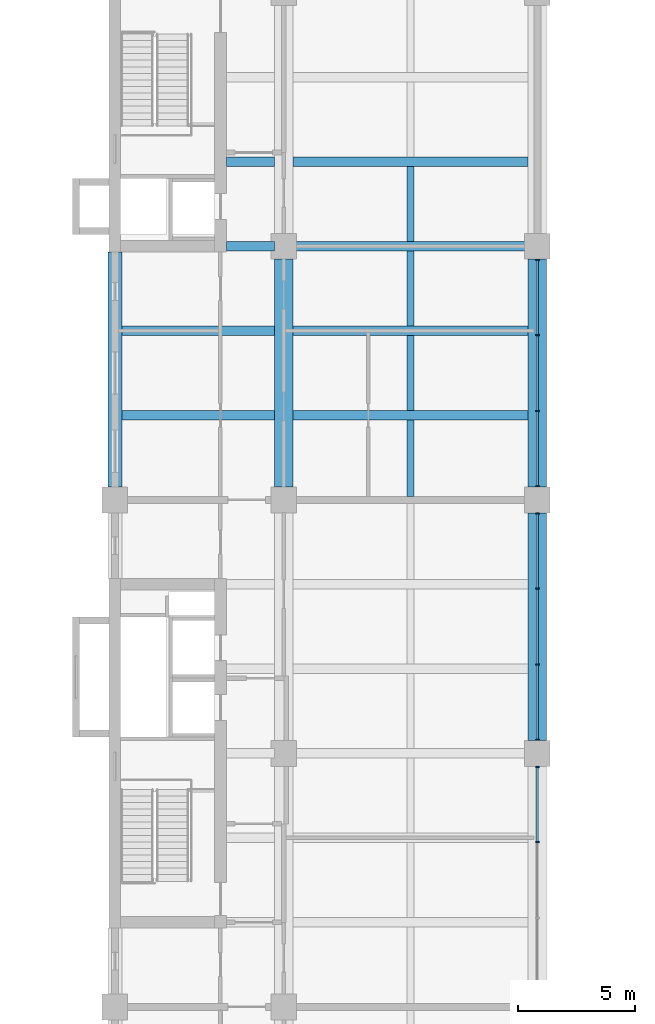
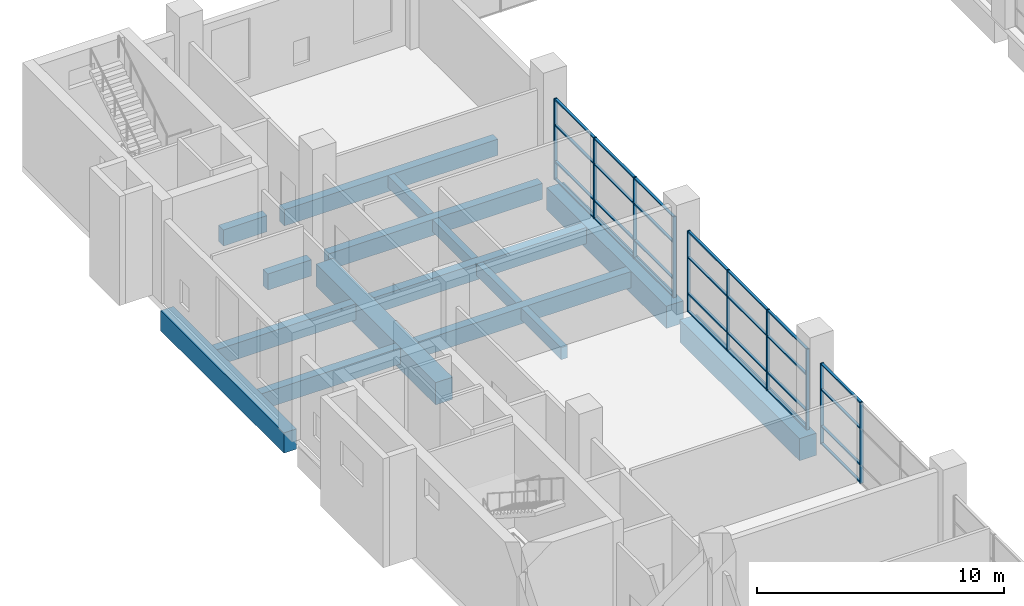
# One storey, part 5 of 32: 38 members, 16 beams, 3 elements without a shape of their own.
"""IFC4 building model written with IfcOpenShell, lengths in metres."""

from ifc_helpers import new_model, si_unit, direction, frame, origin, origin_2d, place, context, subcontext, project, spatial, rectangle, extrude, material, layer, layer_set, material_profile, profile_set, type_object, element, aggregate, save


model = new_model("IFC4")

# Units and contexts
model_context = context("Model", 3, precision=1e-05, world=origin(), true_north=direction((0.0, 1.0)))
body_context = subcontext(model_context, "Body", "Model", "MODEL_VIEW")
ifc_project = project(units=[si_unit("LENGTHUNIT", "METRE"), si_unit("AREAUNIT", "SQUARE_METRE"), si_unit("VOLUMEUNIT", "CUBIC_METRE"), si_unit("PLANEANGLEUNIT", "RADIAN"), si_unit("MASSUNIT", "GRAM", prefix="KILO")], contexts=[model_context])

# Site, building, storey
site_placement = place(None, origin())
site = spatial("IfcSite", under=ifc_project, at=site_placement, CompositionType="ELEMENT")
building_placement = place(site_placement, origin())
building = spatial("IfcBuilding", under=site, at=building_placement, Name="Basin Gate Institute", CompositionType="ELEMENT")
storey_placement = place(building_placement, frame((0.0, 0.0, 11.39990234375)))
storey = spatial("IfcBuildingStorey", under=building, at=storey_placement, Name="L02", CompositionType="ELEMENT", Elevation=11.39990234375)

# Beams
ifc_material_1 = material(Name="Concrete 40 MPa", Category="concrete")
ifc_material_profile_1 = material_profile(ifc_material_1, rectangle(XDim=0.39990234375, YDim=0.800048828125, at=origin_2d()), Name="Beam B2 400 x 800")
ifc_profile_set_1 = profile_set([ifc_material_profile_1], Name="Concrete 40 MPa")
beam_type_1 = type_object("IfcBeamType", Name="Beam B2 R180", PredefinedType="BEAM", material=ifc_profile_set_1)
beam_1_placement = place(storey_placement, frame((68.800048828125, 81.89990234375, -0.699951171875), z_axis=(1.0, 0.0, 0.0), x_axis=(0.0, 1.0, 0.0)))
element("IfcBeam", 1, at=beam_1_placement, inside=storey, type_object=beam_type_1, material=ifc_profile_set_1, Name="BEAM/L02/W/EW/14", PredefinedType="BEAM", context=body_context, shape_type="SweptSolid", body=[
    extrude(rectangle(XDim=0.39990234375, YDim=0.800048828125, at=origin_2d()), origin(), (0.0, 0.0, 1.0), 10.0),
])
beam_2_placement = place(storey_placement, frame((61.5, 81.89990234375, -0.699951171875), z_axis=(1.0, 0.0, 0.0), x_axis=(0.0, 1.0, 0.0)))
element("IfcBeam", 2, at=beam_2_placement, inside=storey, type_object=beam_type_1, material=ifc_profile_set_1, Name="BEAM/L02/W/OUT/14", PredefinedType="BEAM", context=body_context, shape_type="SweptSolid", body=[
    extrude(rectangle(XDim=0.39990234375, YDim=0.800048828125, at=origin_2d()), origin(), (0.0, 0.0, 1.0), 6.5),
])
beam_3_placement = place(storey_placement, frame((68.800048828125, 85.5, -0.699951171875), z_axis=(1.0, 0.0, 0.0), x_axis=(0.0, 1.0, 0.0)))
element("IfcBeam", 3, at=beam_3_placement, inside=storey, type_object=beam_type_1, material=ifc_profile_set_1, Name="BEAM/L02/W/EW/15", PredefinedType="BEAM", context=body_context, shape_type="SweptSolid", body=[
    extrude(rectangle(XDim=0.39990234375, YDim=0.800048828125, at=origin_2d()), origin(), (0.0, 0.0, 1.0), 10.0),
])
beam_4_placement = place(storey_placement, frame((61.5, 85.5, -0.699951171875), z_axis=(1.0, 0.0, 0.0), x_axis=(0.0, 1.0, 0.0)))
element("IfcBeam", 4, at=beam_4_placement, inside=storey, type_object=beam_type_1, material=ifc_profile_set_1, Name="BEAM/L02/W/OUT/15", PredefinedType="BEAM", context=body_context, shape_type="SweptSolid", body=[
    extrude(rectangle(XDim=0.39990234375, YDim=0.800048828125, at=origin_2d()), origin(), (0.0, 0.0, 1.0), 6.5),
])
beam_5_placement = place(storey_placement, frame((68.800048828125, 89.10009765625, -0.699951171875), z_axis=(1.0, 0.0, 0.0), x_axis=(0.0, 1.0, 0.0)))
element("IfcBeam", 5, at=beam_5_placement, inside=storey, type_object=beam_type_1, material=ifc_profile_set_1, Name="BEAM/L02/W/EW/16", PredefinedType="BEAM", context=body_context, shape_type="SweptSolid", body=[
    extrude(rectangle(XDim=0.39990234375, YDim=0.800048828125, at=origin_2d()), origin(), (0.0, 0.0, 1.0), 10.0),
])
beam_6_placement = place(storey_placement, frame((65.949951171875, 89.10009765625, -0.699951171875), z_axis=(1.0, 0.0, 0.0), x_axis=(0.0, 1.0, 0.0)))
element("IfcBeam", 6, at=beam_6_placement, inside=storey, type_object=beam_type_1, material=ifc_profile_set_1, Name="BEAM/L02/W/CORR/16", PredefinedType="BEAM", context=body_context, shape_type="SweptSolid", body=[
    extrude(rectangle(XDim=0.39990234375, YDim=0.800048828125, at=origin_2d()), origin(), (0.0, 0.0, 1.0), 2.050048828125),
])
beam_7_placement = place(storey_placement, frame((68.800048828125, 92.699951171875, -0.699951171875), z_axis=(1.0, 0.0, 0.0), x_axis=(0.0, 1.0, 0.0)))
element("IfcBeam", 7, at=beam_7_placement, inside=storey, type_object=beam_type_1, material=ifc_profile_set_1, Name="BEAM/L02/W/EW/17", PredefinedType="BEAM", context=body_context, shape_type="SweptSolid", body=[
    extrude(rectangle(XDim=0.39990234375, YDim=0.800048828125, at=origin_2d()), origin(), (0.0, 0.0, 1.0), 10.0),
])
beam_8_placement = place(storey_placement, frame((65.949951171875, 92.699951171875, -0.699951171875), z_axis=(1.0, 0.0, 0.0), x_axis=(0.0, 1.0, 0.0)))
element("IfcBeam", 8, at=beam_8_placement, inside=storey, type_object=beam_type_1, material=ifc_profile_set_1, Name="BEAM/L02/W/CORR/17", PredefinedType="BEAM", context=body_context, shape_type="SweptSolid", body=[
    extrude(rectangle(XDim=0.39990234375, YDim=0.800048828125, at=origin_2d()), origin(), (0.0, 0.0, 1.0), 2.050048828125),
])
ifc_material_2 = material(Name="Concrete 50 MPa", Category="concrete")
ifc_material_profile_2 = material_profile(ifc_material_2, rectangle(XDim=0.60009765625, YDim=1.0, at=origin_2d()), Name="Edge beam EB2 600 x 1000")
ifc_profile_set_2 = profile_set([ifc_material_profile_2], Name="Concrete 50 MPa")
beam_type_2 = type_object("IfcBeamType", Name="Edge beam EB2 R180", PredefinedType="SPANDREL", material=ifc_profile_set_2)
beam_9_placement = place(storey_placement, frame((61.199951171875, 78.85009765625, -0.7998046875), z_axis=(0.0, 1.0, 0.0), x_axis=(-1.0, 0.0, 0.0)))
element("IfcBeam", 9, at=beam_9_placement, inside=storey, type_object=beam_type_2, material=ifc_profile_set_2, Name="BEAM/L02/W/EDGE/4", PredefinedType="SPANDREL", context=body_context, shape_type="SweptSolid", body=[
    extrude(rectangle(XDim=0.60009765625, YDim=1.0, at=origin_2d()), origin(), (0.0, 0.0, 1.0), 10.0),
])
ifc_material_3 = material(Name="Concrete 50 MPa", Category="concrete")
ifc_material_profile_3 = material_profile(ifc_material_3, rectangle(XDim=0.800048828125, YDim=1.10009765625, at=origin_2d()), Name="Girder G2 800 x 1100")
ifc_profile_set_3 = profile_set([ifc_material_profile_3], Name="Concrete 50 MPa")
beam_type_3 = type_object("IfcBeamType", Name="Girder G2 R180", PredefinedType="BEAM", material=ifc_profile_set_3)
for number, where, z_axis, x_axis, name in (
    (10, (68.39990234375, 78.85009765625, -0.849853515625), (0.0, 1.0, 0.0), (-1.0, 0.0, 0.0), "GIR/L02/W5/5"),
    (11, (79.199951171875, 68.050048828125, -0.849853515625), (0.0, 1.0, 0.0), (-1.0, 0.0, 0.0), "GIR/L02/W6/4"),
    (12, (79.199951171875, 78.85009765625, -0.849853515625), (0.0, 1.0, 0.0), (-1.0, 0.0, 0.0), "GIR/L02/W6/5"),
):
    element("IfcBeam", number, at=place(storey_placement, frame(where, z_axis=z_axis, x_axis=x_axis)), inside=storey, type_object=beam_type_3, material=ifc_profile_set_3, Name=name, PredefinedType="BEAM", context=body_context, shape_type="SweptSolid", body=[
        extrude(rectangle(XDim=0.800048828125, YDim=1.10009765625, at=origin_2d()), origin(), (0.0, 0.0, 1.0), 9.699951171875),
    ])

# Curtain wall, members
ifc_material_4 = material(Name="Fire-resistant glazing in steel-free frame", Category="steel")
ifc_layer = layer(ifc_material_4, 0.199951171875)
ifc_layer_set = layer_set([ifc_layer], Name="Fire-resistant glazing in steel-free frame")
curtain_wall_type = type_object("IfcCurtainWallType", Name="Atrium rated curtain wall CW3", PredefinedType="NOTDEFINED", material=ifc_layer_set)
curtain_wall_1_placement = place(storey_placement, origin())
curtain_wall_1 = element("IfcCurtainWall", 13, at=curtain_wall_1_placement, inside=storey, type_object=curtain_wall_type, material=ifc_layer_set, Name="Atrium rated curtain wall W wing atrium bay 3 L02", PredefinedType="NOTDEFINED")
ifc_material_5 = material(Name="Aluminium", Category="aluminium")
ifc_material_profile_4 = material_profile(ifc_material_5, rectangle(XDim=0.14990234375, YDim=0.06005859375, at=origin_2d()), Name="Mullion MU3 150 x 60")
ifc_profile_set_4 = profile_set([ifc_material_profile_4], Name="Aluminium")
member_type_1 = type_object("IfcMemberType", Name="Mullion MU3", PredefinedType="MULLION", material=ifc_profile_set_4)
member_1_placement = place(storey_placement, frame((79.199951171875, 63.716552734375, 0.0), z_axis=(0.0, 0.0, 1.0), x_axis=(-1.0, 0.0, 0.0)))
member_1 = element("IfcMember", 14, at=member_1_placement, type_object=member_type_1, material=ifc_profile_set_4, Name="CW3 mullion 3", PredefinedType="MULLION", context=body_context, shape_type="SweptSolid", body=[
    extrude(rectangle(XDim=0.14990234375, YDim=0.06005859375, at=origin_2d()), origin(), (0.0, 0.0, 1.0), 4.0),
])
member_2_placement = place(storey_placement, frame((79.199951171875, 66.919921875, 0.0), z_axis=(0.0, 0.0, 1.0), x_axis=(-1.0, 0.0, 0.0)))
member_2 = element("IfcMember", 15, at=member_2_placement, type_object=member_type_1, material=ifc_profile_set_4, Name="CW3 mullion 4", PredefinedType="MULLION", context=body_context, shape_type="SweptSolid", body=[
    extrude(rectangle(XDim=0.14990234375, YDim=0.06005859375, at=origin_2d()), origin(), (0.0, 0.0, 1.0), 4.0),
])

curtain_wall_2_placement = place(storey_placement, origin())
curtain_wall_2 = element("IfcCurtainWall", 16, at=curtain_wall_2_placement, inside=storey, type_object=curtain_wall_type, material=ifc_layer_set, Name="Atrium rated curtain wall W wing atrium bay 4 L02", PredefinedType="NOTDEFINED")
member_3_placement = place(storey_placement, frame((79.199951171875, 68.080078125, 0.0), z_axis=(0.0, 0.0, 1.0), x_axis=(-1.0, 0.0, 0.0)))
member_3 = element("IfcMember", 17, at=member_3_placement, type_object=member_type_1, material=ifc_profile_set_4, Name="CW3 mullion 1", PredefinedType="MULLION", context=body_context, shape_type="SweptSolid", body=[
    extrude(rectangle(XDim=0.14990234375, YDim=0.06005859375, at=origin_2d()), origin(), (0.0, 0.0, 1.0), 4.0),
])
member_4_placement = place(storey_placement, frame((79.199951171875, 71.283447265625, 0.0), z_axis=(0.0, 0.0, 1.0), x_axis=(-1.0, 0.0, 0.0)))
member_4 = element("IfcMember", 18, at=member_4_placement, type_object=member_type_1, material=ifc_profile_set_4, Name="CW3 mullion 2", PredefinedType="MULLION", context=body_context, shape_type="SweptSolid", body=[
    extrude(rectangle(XDim=0.14990234375, YDim=0.06005859375, at=origin_2d()), origin(), (0.0, 0.0, 1.0), 4.0),
])
member_5_placement = place(storey_placement, frame((79.199951171875, 74.5166015625, 0.0), z_axis=(0.0, 0.0, 1.0), x_axis=(-1.0, 0.0, 0.0)))
member_5 = element("IfcMember", 19, at=member_5_placement, type_object=member_type_1, material=ifc_profile_set_4, Name="CW3 mullion 3", PredefinedType="MULLION", context=body_context, shape_type="SweptSolid", body=[
    extrude(rectangle(XDim=0.14990234375, YDim=0.06005859375, at=origin_2d()), origin(), (0.0, 0.0, 1.0), 4.0),
])
member_6_placement = place(storey_placement, frame((79.199951171875, 77.719970703125, 0.0), z_axis=(0.0, 0.0, 1.0), x_axis=(-1.0, 0.0, 0.0)))
member_6 = element("IfcMember", 20, at=member_6_placement, type_object=member_type_1, material=ifc_profile_set_4, Name="CW3 mullion 4", PredefinedType="MULLION", context=body_context, shape_type="SweptSolid", body=[
    extrude(rectangle(XDim=0.14990234375, YDim=0.06005859375, at=origin_2d()), origin(), (0.0, 0.0, 1.0), 4.0),
])

curtain_wall_3_placement = place(storey_placement, origin())
curtain_wall_3 = element("IfcCurtainWall", 21, at=curtain_wall_3_placement, inside=storey, type_object=curtain_wall_type, material=ifc_layer_set, Name="Atrium rated curtain wall W wing atrium bay 5 L02", PredefinedType="NOTDEFINED")
member_7_placement = place(storey_placement, frame((79.199951171875, 78.8798828125, 0.0), z_axis=(0.0, 0.0, 1.0), x_axis=(-1.0, 0.0, 0.0)))
member_7 = element("IfcMember", 22, at=member_7_placement, type_object=member_type_1, material=ifc_profile_set_4, Name="CW3 mullion 1", PredefinedType="MULLION", context=body_context, shape_type="SweptSolid", body=[
    extrude(rectangle(XDim=0.14990234375, YDim=0.06005859375, at=origin_2d()), origin(), (0.0, 0.0, 1.0), 4.0),
])
member_8_placement = place(storey_placement, frame((79.199951171875, 82.083251953125, 0.0), z_axis=(0.0, 0.0, 1.0), x_axis=(-1.0, 0.0, 0.0)))
member_8 = element("IfcMember", 23, at=member_8_placement, type_object=member_type_1, material=ifc_profile_set_4, Name="CW3 mullion 2", PredefinedType="MULLION", context=body_context, shape_type="SweptSolid", body=[
    extrude(rectangle(XDim=0.14990234375, YDim=0.06005859375, at=origin_2d()), origin(), (0.0, 0.0, 1.0), 4.0),
])
member_9_placement = place(storey_placement, frame((79.199951171875, 85.316650390625, 0.0), z_axis=(0.0, 0.0, 1.0), x_axis=(-1.0, 0.0, 0.0)))
member_9 = element("IfcMember", 24, at=member_9_placement, type_object=member_type_1, material=ifc_profile_set_4, Name="CW3 mullion 3", PredefinedType="MULLION", context=body_context, shape_type="SweptSolid", body=[
    extrude(rectangle(XDim=0.14990234375, YDim=0.06005859375, at=origin_2d()), origin(), (0.0, 0.0, 1.0), 4.0),
])
member_10_placement = place(storey_placement, frame((79.199951171875, 88.52001953125, 0.0), z_axis=(0.0, 0.0, 1.0), x_axis=(-1.0, 0.0, 0.0)))
member_10 = element("IfcMember", 25, at=member_10_placement, type_object=member_type_1, material=ifc_profile_set_4, Name="CW3 mullion 4", PredefinedType="MULLION", context=body_context, shape_type="SweptSolid", body=[
    extrude(rectangle(XDim=0.14990234375, YDim=0.06005859375, at=origin_2d()), origin(), (0.0, 0.0, 1.0), 4.0),
])

# Beams
ifc_material_6 = material(Name="Concrete 40 MPa", Category="concrete")
ifc_material_profile_5 = material_profile(ifc_material_6, rectangle(XDim=0.300048828125, YDim=0.60009765625, at=origin_2d()), Name="Rib R2 300 x 600")
ifc_profile_set_5 = profile_set([ifc_material_profile_5], Name="Concrete 40 MPa")
beam_type_4 = type_object("IfcBeamType", Name="Rib R2 R180", PredefinedType="JOIST", material=ifc_profile_set_5)
beam_10_placement = place(storey_placement, frame((73.800048828125, 78.449951171875, -0.599853515625), z_axis=(0.0, 1.0, 0.0), x_axis=(-1.0, 0.0, 0.0)))
element("IfcBeam", 26, at=beam_10_placement, inside=storey, type_object=beam_type_4, material=ifc_profile_set_5, Name="BEAM/L02/W/RIB/13", PredefinedType="JOIST", context=body_context, shape_type="SweptSolid", body=[
    extrude(rectangle(XDim=0.300048828125, YDim=0.60009765625, at=origin_2d()), origin(), (0.0, 0.0, 1.0), 3.25),
])
for number, where, z_axis, x_axis, name in (
    (27, (73.800048828125, 82.10009765625, -0.599853515625), (0.0, 1.0, 0.0), (-1.0, 0.0, 0.0), "BEAM/L02/W/RIB/14"),
    (28, (73.800048828125, 85.699951171875, -0.599853515625), (0.0, 1.0, 0.0), (-1.0, 0.0, 0.0), "BEAM/L02/W/RIB/15"),
    (29, (73.800048828125, 89.300048828125, -0.599853515625), (0.0, 1.0, 0.0), (-1.0, 0.0, 0.0), "BEAM/L02/W/RIB/16"),
):
    element("IfcBeam", number, at=place(storey_placement, frame(where, z_axis=z_axis, x_axis=x_axis)), inside=storey, type_object=beam_type_4, material=ifc_profile_set_5, Name=name, PredefinedType="JOIST", context=body_context, shape_type="SweptSolid", body=[
        extrude(rectangle(XDim=0.300048828125, YDim=0.60009765625, at=origin_2d()), origin(), (0.0, 0.0, 1.0), 3.199951171875),
    ])

# Member
ifc_material_7 = material(Name="Aluminium", Category="aluminium")
ifc_material_profile_6 = material_profile(ifc_material_7, rectangle(XDim=0.1201171875, YDim=0.06005859375, at=origin_2d()), Name="Transom TR3 120 x 60")
ifc_profile_set_6 = profile_set([ifc_material_profile_6], Name="Aluminium")
member_type_2 = type_object("IfcMemberType", Name="Transom TR3", PredefinedType="USERDEFINED", material=ifc_profile_set_6)
member_11_placement = place(storey_placement, frame((79.199951171875, 63.74658203125, 0.030029296875), z_axis=(0.0, 1.0, 0.0), x_axis=(-1.0, 0.0, 0.0)))
member_11 = element("IfcMember", 30, at=member_11_placement, type_object=member_type_2, material=ifc_profile_set_6, Name="CW3 transom 3.1", ObjectType="TRANSOM", PredefinedType="USERDEFINED", context=body_context, shape_type="SweptSolid", body=[
    extrude(rectangle(XDim=0.1201171875, YDim=0.06005859375, at=origin_2d()), origin(), (0.0, 0.0, 1.0), 3.143310546875),
])

member_12_placement = place(storey_placement, frame((79.199951171875, 63.74658203125, 0.900146484375), z_axis=(0.0, 1.0, 0.0), x_axis=(-1.0, 0.0, 0.0)))
member_12 = element("IfcMember", 31, at=member_12_placement, type_object=member_type_2, material=ifc_profile_set_6, Name="CW3 transom 3.2", ObjectType="TRANSOM", PredefinedType="USERDEFINED", context=body_context, shape_type="SweptSolid", body=[
    extrude(rectangle(XDim=0.1201171875, YDim=0.06005859375, at=origin_2d()), origin(), (0.0, 0.0, 1.0), 3.143310546875),
])

member_13_placement = place(storey_placement, frame((79.199951171875, 63.74658203125, 2.7001953125), z_axis=(0.0, 1.0, 0.0), x_axis=(-1.0, 0.0, 0.0)))
member_13 = element("IfcMember", 32, at=member_13_placement, type_object=member_type_2, material=ifc_profile_set_6, Name="CW3 transom 3.3", ObjectType="TRANSOM", PredefinedType="USERDEFINED", context=body_context, shape_type="SweptSolid", body=[
    extrude(rectangle(XDim=0.1201171875, YDim=0.06005859375, at=origin_2d()), origin(), (0.0, 0.0, 1.0), 3.143310546875),
])

member_14_placement = place(storey_placement, frame((79.199951171875, 63.74658203125, 3.97021484375), z_axis=(0.0, 1.0, 0.0), x_axis=(-1.0, 0.0, 0.0)))
member_14 = element("IfcMember", 33, at=member_14_placement, type_object=member_type_2, material=ifc_profile_set_6, Name="CW3 transom 3.4", ObjectType="TRANSOM", PredefinedType="USERDEFINED", context=body_context, shape_type="SweptSolid", body=[
    extrude(rectangle(XDim=0.1201171875, YDim=0.06005859375, at=origin_2d()), origin(), (0.0, 0.0, 1.0), 3.143310546875),
])

aggregate(curtain_wall_1, [member_1, member_2, member_11, member_12, member_13, member_14])

member_15_placement = place(storey_placement, frame((79.199951171875, 68.110107421875, 0.030029296875), z_axis=(0.0, 1.0, 0.0), x_axis=(-1.0, 0.0, 0.0)))
member_15 = element("IfcMember", 34, at=member_15_placement, type_object=member_type_2, material=ifc_profile_set_6, Name="CW3 transom 1.1", ObjectType="TRANSOM", PredefinedType="USERDEFINED", context=body_context, shape_type="SweptSolid", body=[
    extrude(rectangle(XDim=0.1201171875, YDim=0.06005859375, at=origin_2d()), origin(), (0.0, 0.0, 1.0), 3.143310546875),
])

member_16_placement = place(storey_placement, frame((79.199951171875, 68.110107421875, 0.900146484375), z_axis=(0.0, 1.0, 0.0), x_axis=(-1.0, 0.0, 0.0)))
member_16 = element("IfcMember", 35, at=member_16_placement, type_object=member_type_2, material=ifc_profile_set_6, Name="CW3 transom 1.2", ObjectType="TRANSOM", PredefinedType="USERDEFINED", context=body_context, shape_type="SweptSolid", body=[
    extrude(rectangle(XDim=0.1201171875, YDim=0.06005859375, at=origin_2d()), origin(), (0.0, 0.0, 1.0), 3.143310546875),
])

member_17_placement = place(storey_placement, frame((79.199951171875, 68.110107421875, 2.7001953125), z_axis=(0.0, 1.0, 0.0), x_axis=(-1.0, 0.0, 0.0)))
member_17 = element("IfcMember", 36, at=member_17_placement, type_object=member_type_2, material=ifc_profile_set_6, Name="CW3 transom 1.3", ObjectType="TRANSOM", PredefinedType="USERDEFINED", context=body_context, shape_type="SweptSolid", body=[
    extrude(rectangle(XDim=0.1201171875, YDim=0.06005859375, at=origin_2d()), origin(), (0.0, 0.0, 1.0), 3.143310546875),
])

member_18_placement = place(storey_placement, frame((79.199951171875, 68.110107421875, 3.97021484375), z_axis=(0.0, 1.0, 0.0), x_axis=(-1.0, 0.0, 0.0)))
member_18 = element("IfcMember", 37, at=member_18_placement, type_object=member_type_2, material=ifc_profile_set_6, Name="CW3 transom 1.4", ObjectType="TRANSOM", PredefinedType="USERDEFINED", context=body_context, shape_type="SweptSolid", body=[
    extrude(rectangle(XDim=0.1201171875, YDim=0.06005859375, at=origin_2d()), origin(), (0.0, 0.0, 1.0), 3.143310546875),
])

member_19_placement = place(storey_placement, frame((79.199951171875, 71.313232421875, 0.030029296875), z_axis=(0.0, 1.0, 0.0), x_axis=(-1.0, 0.0, 0.0)))
member_19 = element("IfcMember", 38, at=member_19_placement, type_object=member_type_2, material=ifc_profile_set_6, Name="CW3 transom 2.1", ObjectType="TRANSOM", PredefinedType="USERDEFINED", context=body_context, shape_type="SweptSolid", body=[
    extrude(rectangle(XDim=0.1201171875, YDim=0.06005859375, at=origin_2d()), origin(), (0.0, 0.0, 1.0), 3.17333984375),
])

member_20_placement = place(storey_placement, frame((79.199951171875, 71.313232421875, 0.900146484375), z_axis=(0.0, 1.0, 0.0), x_axis=(-1.0, 0.0, 0.0)))
member_20 = element("IfcMember", 39, at=member_20_placement, type_object=member_type_2, material=ifc_profile_set_6, Name="CW3 transom 2.2", ObjectType="TRANSOM", PredefinedType="USERDEFINED", context=body_context, shape_type="SweptSolid", body=[
    extrude(rectangle(XDim=0.1201171875, YDim=0.06005859375, at=origin_2d()), origin(), (0.0, 0.0, 1.0), 3.17333984375),
])

member_21_placement = place(storey_placement, frame((79.199951171875, 71.313232421875, 2.7001953125), z_axis=(0.0, 1.0, 0.0), x_axis=(-1.0, 0.0, 0.0)))
member_21 = element("IfcMember", 40, at=member_21_placement, type_object=member_type_2, material=ifc_profile_set_6, Name="CW3 transom 2.3", ObjectType="TRANSOM", PredefinedType="USERDEFINED", context=body_context, shape_type="SweptSolid", body=[
    extrude(rectangle(XDim=0.1201171875, YDim=0.06005859375, at=origin_2d()), origin(), (0.0, 0.0, 1.0), 3.17333984375),
])

member_22_placement = place(storey_placement, frame((79.199951171875, 71.313232421875, 3.97021484375), z_axis=(0.0, 1.0, 0.0), x_axis=(-1.0, 0.0, 0.0)))
member_22 = element("IfcMember", 41, at=member_22_placement, type_object=member_type_2, material=ifc_profile_set_6, Name="CW3 transom 2.4", ObjectType="TRANSOM", PredefinedType="USERDEFINED", context=body_context, shape_type="SweptSolid", body=[
    extrude(rectangle(XDim=0.1201171875, YDim=0.06005859375, at=origin_2d()), origin(), (0.0, 0.0, 1.0), 3.17333984375),
])

member_23_placement = place(storey_placement, frame((79.199951171875, 74.546630859375, 0.030029296875), z_axis=(0.0, 1.0, 0.0), x_axis=(-1.0, 0.0, 0.0)))
member_23 = element("IfcMember", 42, at=member_23_placement, type_object=member_type_2, material=ifc_profile_set_6, Name="CW3 transom 3.1", ObjectType="TRANSOM", PredefinedType="USERDEFINED", context=body_context, shape_type="SweptSolid", body=[
    extrude(rectangle(XDim=0.1201171875, YDim=0.06005859375, at=origin_2d()), origin(), (0.0, 0.0, 1.0), 3.143310546875),
])

member_24_placement = place(storey_placement, frame((79.199951171875, 74.546630859375, 0.900146484375), z_axis=(0.0, 1.0, 0.0), x_axis=(-1.0, 0.0, 0.0)))
member_24 = element("IfcMember", 43, at=member_24_placement, type_object=member_type_2, material=ifc_profile_set_6, Name="CW3 transom 3.2", ObjectType="TRANSOM", PredefinedType="USERDEFINED", context=body_context, shape_type="SweptSolid", body=[
    extrude(rectangle(XDim=0.1201171875, YDim=0.06005859375, at=origin_2d()), origin(), (0.0, 0.0, 1.0), 3.143310546875),
])

member_25_placement = place(storey_placement, frame((79.199951171875, 74.546630859375, 2.7001953125), z_axis=(0.0, 1.0, 0.0), x_axis=(-1.0, 0.0, 0.0)))
member_25 = element("IfcMember", 44, at=member_25_placement, type_object=member_type_2, material=ifc_profile_set_6, Name="CW3 transom 3.3", ObjectType="TRANSOM", PredefinedType="USERDEFINED", context=body_context, shape_type="SweptSolid", body=[
    extrude(rectangle(XDim=0.1201171875, YDim=0.06005859375, at=origin_2d()), origin(), (0.0, 0.0, 1.0), 3.143310546875),
])

member_26_placement = place(storey_placement, frame((79.199951171875, 74.546630859375, 3.97021484375), z_axis=(0.0, 1.0, 0.0), x_axis=(-1.0, 0.0, 0.0)))
member_26 = element("IfcMember", 45, at=member_26_placement, type_object=member_type_2, material=ifc_profile_set_6, Name="CW3 transom 3.4", ObjectType="TRANSOM", PredefinedType="USERDEFINED", context=body_context, shape_type="SweptSolid", body=[
    extrude(rectangle(XDim=0.1201171875, YDim=0.06005859375, at=origin_2d()), origin(), (0.0, 0.0, 1.0), 3.143310546875),
])

aggregate(curtain_wall_2, [member_3, member_4, member_5, member_6, member_15, member_16, member_17, member_18, member_19, member_20, member_21, member_22, member_23, member_24, member_25, member_26])

member_27_placement = place(storey_placement, frame((79.199951171875, 78.909912109375, 0.030029296875), z_axis=(0.0, 1.0, 0.0), x_axis=(-1.0, 0.0, 0.0)))
member_27 = element("IfcMember", 46, at=member_27_placement, type_object=member_type_2, material=ifc_profile_set_6, Name="CW3 transom 1.1", ObjectType="TRANSOM", PredefinedType="USERDEFINED", context=body_context, shape_type="SweptSolid", body=[
    extrude(rectangle(XDim=0.1201171875, YDim=0.06005859375, at=origin_2d()), origin(), (0.0, 0.0, 1.0), 3.143310546875),
])

member_28_placement = place(storey_placement, frame((79.199951171875, 78.909912109375, 0.900146484375), z_axis=(0.0, 1.0, 0.0), x_axis=(-1.0, 0.0, 0.0)))
member_28 = element("IfcMember", 47, at=member_28_placement, type_object=member_type_2, material=ifc_profile_set_6, Name="CW3 transom 1.2", ObjectType="TRANSOM", PredefinedType="USERDEFINED", context=body_context, shape_type="SweptSolid", body=[
    extrude(rectangle(XDim=0.1201171875, YDim=0.06005859375, at=origin_2d()), origin(), (0.0, 0.0, 1.0), 3.143310546875),
])

member_29_placement = place(storey_placement, frame((79.199951171875, 78.909912109375, 2.7001953125), z_axis=(0.0, 1.0, 0.0), x_axis=(-1.0, 0.0, 0.0)))
member_29 = element("IfcMember", 48, at=member_29_placement, type_object=member_type_2, material=ifc_profile_set_6, Name="CW3 transom 1.3", ObjectType="TRANSOM", PredefinedType="USERDEFINED", context=body_context, shape_type="SweptSolid", body=[
    extrude(rectangle(XDim=0.1201171875, YDim=0.06005859375, at=origin_2d()), origin(), (0.0, 0.0, 1.0), 3.143310546875),
])

member_30_placement = place(storey_placement, frame((79.199951171875, 78.909912109375, 3.97021484375), z_axis=(0.0, 1.0, 0.0), x_axis=(-1.0, 0.0, 0.0)))
member_30 = element("IfcMember", 49, at=member_30_placement, type_object=member_type_2, material=ifc_profile_set_6, Name="CW3 transom 1.4", ObjectType="TRANSOM", PredefinedType="USERDEFINED", context=body_context, shape_type="SweptSolid", body=[
    extrude(rectangle(XDim=0.1201171875, YDim=0.06005859375, at=origin_2d()), origin(), (0.0, 0.0, 1.0), 3.143310546875),
])

member_31_placement = place(storey_placement, frame((79.199951171875, 82.11328125, 0.030029296875), z_axis=(0.0, 1.0, 0.0), x_axis=(-1.0, 0.0, 0.0)))
member_31 = element("IfcMember", 50, at=member_31_placement, type_object=member_type_2, material=ifc_profile_set_6, Name="CW3 transom 2.1", ObjectType="TRANSOM", PredefinedType="USERDEFINED", context=body_context, shape_type="SweptSolid", body=[
    extrude(rectangle(XDim=0.1201171875, YDim=0.06005859375, at=origin_2d()), origin(), (0.0, 0.0, 1.0), 3.17333984375),
])

member_32_placement = place(storey_placement, frame((79.199951171875, 82.11328125, 0.900146484375), z_axis=(0.0, 1.0, 0.0), x_axis=(-1.0, 0.0, 0.0)))
member_32 = element("IfcMember", 51, at=member_32_placement, type_object=member_type_2, material=ifc_profile_set_6, Name="CW3 transom 2.2", ObjectType="TRANSOM", PredefinedType="USERDEFINED", context=body_context, shape_type="SweptSolid", body=[
    extrude(rectangle(XDim=0.1201171875, YDim=0.06005859375, at=origin_2d()), origin(), (0.0, 0.0, 1.0), 3.17333984375),
])

member_33_placement = place(storey_placement, frame((79.199951171875, 82.11328125, 2.7001953125), z_axis=(0.0, 1.0, 0.0), x_axis=(-1.0, 0.0, 0.0)))
member_33 = element("IfcMember", 52, at=member_33_placement, type_object=member_type_2, material=ifc_profile_set_6, Name="CW3 transom 2.3", ObjectType="TRANSOM", PredefinedType="USERDEFINED", context=body_context, shape_type="SweptSolid", body=[
    extrude(rectangle(XDim=0.1201171875, YDim=0.06005859375, at=origin_2d()), origin(), (0.0, 0.0, 1.0), 3.17333984375),
])

member_34_placement = place(storey_placement, frame((79.199951171875, 82.11328125, 3.97021484375), z_axis=(0.0, 1.0, 0.0), x_axis=(-1.0, 0.0, 0.0)))
member_34 = element("IfcMember", 53, at=member_34_placement, type_object=member_type_2, material=ifc_profile_set_6, Name="CW3 transom 2.4", ObjectType="TRANSOM", PredefinedType="USERDEFINED", context=body_context, shape_type="SweptSolid", body=[
    extrude(rectangle(XDim=0.1201171875, YDim=0.06005859375, at=origin_2d()), origin(), (0.0, 0.0, 1.0), 3.17333984375),
])

member_35_placement = place(storey_placement, frame((79.199951171875, 85.3466796875, 0.030029296875), z_axis=(0.0, 1.0, 0.0), x_axis=(-1.0, 0.0, 0.0)))
member_35 = element("IfcMember", 54, at=member_35_placement, type_object=member_type_2, material=ifc_profile_set_6, Name="CW3 transom 3.1", ObjectType="TRANSOM", PredefinedType="USERDEFINED", context=body_context, shape_type="SweptSolid", body=[
    extrude(rectangle(XDim=0.1201171875, YDim=0.06005859375, at=origin_2d()), origin(), (0.0, 0.0, 1.0), 3.143310546875),
])

member_36_placement = place(storey_placement, frame((79.199951171875, 85.3466796875, 0.900146484375), z_axis=(0.0, 1.0, 0.0), x_axis=(-1.0, 0.0, 0.0)))
member_36 = element("IfcMember", 55, at=member_36_placement, type_object=member_type_2, material=ifc_profile_set_6, Name="CW3 transom 3.2", ObjectType="TRANSOM", PredefinedType="USERDEFINED", context=body_context, shape_type="SweptSolid", body=[
    extrude(rectangle(XDim=0.1201171875, YDim=0.06005859375, at=origin_2d()), origin(), (0.0, 0.0, 1.0), 3.143310546875),
])

member_37_placement = place(storey_placement, frame((79.199951171875, 85.3466796875, 2.7001953125), z_axis=(0.0, 1.0, 0.0), x_axis=(-1.0, 0.0, 0.0)))
member_37 = element("IfcMember", 56, at=member_37_placement, type_object=member_type_2, material=ifc_profile_set_6, Name="CW3 transom 3.3", ObjectType="TRANSOM", PredefinedType="USERDEFINED", context=body_context, shape_type="SweptSolid", body=[
    extrude(rectangle(XDim=0.1201171875, YDim=0.06005859375, at=origin_2d()), origin(), (0.0, 0.0, 1.0), 3.143310546875),
])

member_38_placement = place(storey_placement, frame((79.199951171875, 85.3466796875, 3.97021484375), z_axis=(0.0, 1.0, 0.0), x_axis=(-1.0, 0.0, 0.0)))
member_38 = element("IfcMember", 57, at=member_38_placement, type_object=member_type_2, material=ifc_profile_set_6, Name="CW3 transom 3.4", ObjectType="TRANSOM", PredefinedType="USERDEFINED", context=body_context, shape_type="SweptSolid", body=[
    extrude(rectangle(XDim=0.1201171875, YDim=0.06005859375, at=origin_2d()), origin(), (0.0, 0.0, 1.0), 3.143310546875),
])

aggregate(curtain_wall_3, [member_7, member_8, member_9, member_10, member_27, member_28, member_29, member_30, member_31, member_32, member_33, member_34, member_35, member_36, member_37, member_38])

save(model, "model.ifc")
